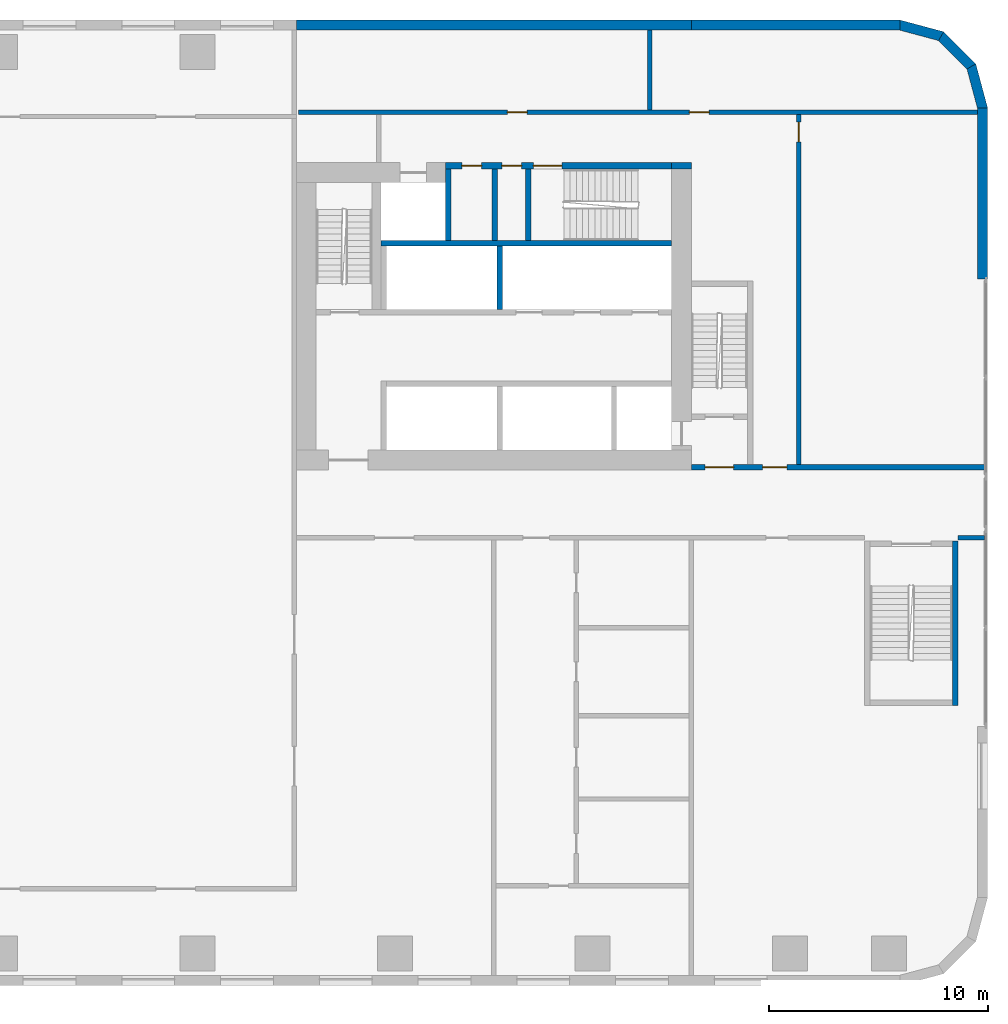
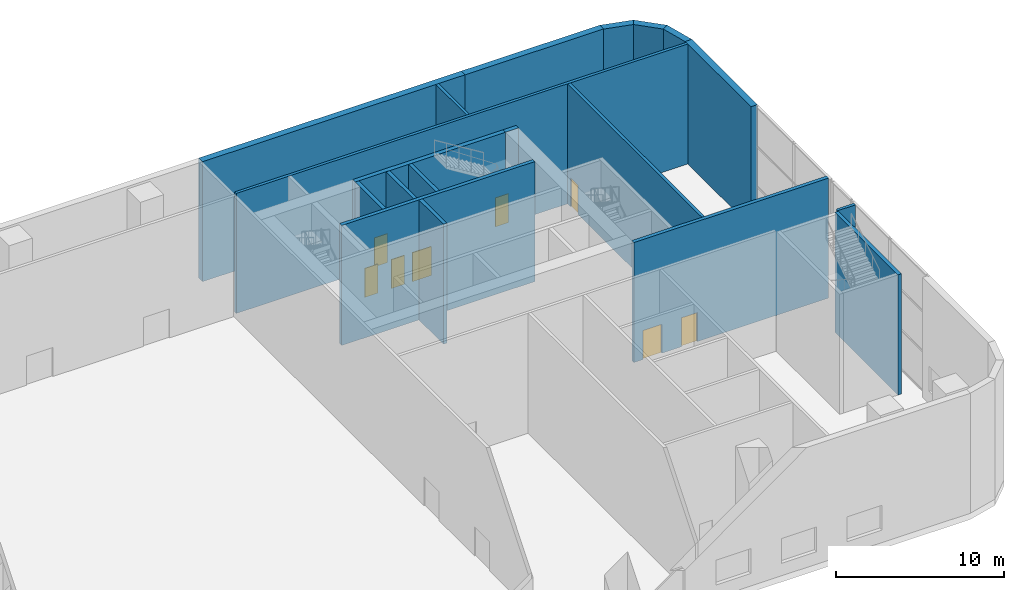
# One storey, part 11 of 24: 19 walls, 8 doors, 8 openings.
"""IFC4 building model written with IfcOpenShell, lengths in metres."""

from ifc_helpers import new_model, si_unit, direction, frame, frame_2d, origin, place, context, subcontext, project, spatial, polyline, rectangle, outline, extrude, material, layer, layer_set, type_object, element, fill, save


model = new_model("IFC4")

# Units and contexts
model_context = context("Model", 3, precision=1e-05, world=origin(), true_north=direction((0.0, 1.0)))
body_context = subcontext(model_context, "Body", "Model", "MODEL_VIEW")
ifc_project = project(units=[si_unit("LENGTHUNIT", "METRE"), si_unit("AREAUNIT", "SQUARE_METRE"), si_unit("VOLUMEUNIT", "CUBIC_METRE"), si_unit("PLANEANGLEUNIT", "RADIAN"), si_unit("MASSUNIT", "GRAM", prefix="KILO")], contexts=[model_context])

# Site, building, storey
site_placement = place(None, origin())
site = spatial("IfcSite", under=ifc_project, at=site_placement, CompositionType="ELEMENT")
building_placement = place(site_placement, origin())
building = spatial("IfcBuilding", under=site, at=building_placement, Name="Kajstack Hotel Tower", CompositionType="ELEMENT")
storey_placement = place(building_placement, frame((0.0, 0.0, 38.0)))
storey = spatial("IfcBuildingStorey", under=building, at=storey_placement, Name="L06", CompositionType="ELEMENT", Elevation=38.0)

# Walls
ifc_material_1 = material(Name="Concrete C60/75", Category="concrete")
ifc_layer_1 = layer(ifc_material_1, 0.89990234375)
ifc_layer_set_1 = layer_set([ifc_layer_1], Name="Core wall 900")
wall_type_1 = type_object("IfcWallType", Name="Core wall 900", PredefinedType="SHEAR", material=ifc_layer_set_1)
wall_1_placement = place(storey_placement, frame((30.60009765625, 15.35009765625, 0.0), z_axis=(0.0, 0.0, 1.0), x_axis=(1.0, 0.0, 0.0)))
element("IfcWall", 1, at=wall_1_placement, inside=storey, type_object=wall_type_1, Name="Core wall E RSW", PredefinedType="SHEAR", context=body_context, shape_type="SweptSolid", body=[
    extrude(rectangle(XDim=0.89990234375, YDim=0.300048828125, at=frame_2d((0.449951171875, 0.0))), origin(), (0.0, 0.0, 1.0), 8.699951171875),
])
ifc_material_2 = material(Name="Concrete C40/50", Category="concrete")
ifc_layer_2 = layer(ifc_material_2, 0.449951171875)
ifc_layer_set_2 = layer_set([ifc_layer_2], Name="EW-CORE")
wall_type_2 = type_object("IfcWallType", Name="EW-CORE", PredefinedType="SOLIDWALL", material=ifc_layer_set_2)
wall_2_placement = place(storey_placement, frame((31.5, 21.77490234375, 0.0), z_axis=(0.0, 0.0, 1.0), x_axis=(-1.0, 0.0, 0.0)))
element("IfcWall", 2, at=wall_2_placement, inside=storey, type_object=wall_type_2, Name="E-wall-L06-11-01", PredefinedType="SOLIDWALL", context=body_context, shape_type="SweptSolid", body=[
    extrude(rectangle(XDim=18.0, YDim=0.449951171875, at=frame_2d((9.0, 0.0))), origin(), (0.0, 0.0, 1.0), 8.699951171875),
])
ifc_material_3 = material(Name="Terracotta-faced brick masonry", Category="masonry")
ifc_layer_3 = layer(ifc_material_3, 0.449951171875)
ifc_layer_set_3 = layer_set([ifc_layer_3], Name="EW-TERRA")
wall_type_3 = type_object("IfcWallType", Name="EW-TERRA", PredefinedType="SOLIDWALL", material=ifc_layer_set_3)
wall_3_placement = place(storey_placement, frame((44.77490234375, 10.199951171875, 0.0), z_axis=(0.0, 0.0, 1.0), x_axis=(0.0, 1.0, 0.0)))
element("IfcWall", 3, at=wall_3_placement, inside=storey, type_object=wall_type_3, Name="E-wall-L06-07-02", PredefinedType="SOLIDWALL", context=body_context, shape_type="SweptSolid", body=[
    extrude(rectangle(XDim=7.800048828125, YDim=0.449951171875, at=frame_2d((3.89990234375, 0.0))), origin(), (0.0, 0.0, 1.0), 8.699951171875),
])
wall_4_placement = place(storey_placement, frame((44.78271484375, 17.941650390625, 0.0), z_axis=(0.0, 0.0, 1.0), x_axis=(-0.25881466832, 0.965926999034, 0.0)))
element("IfcWall", 4, at=wall_4_placement, inside=storey, type_object=wall_type_3, Name="E-wall-L06-08-00", PredefinedType="SOLIDWALL", context=body_context, shape_type="SweptSolid", body=[
    extrude(outline(polyline([(0.000244140625, -0.22509765625), (2.070556640625, -0.224853515625), (1.9501953125, 0.22509765625), (0.12060546875, 0.22509765625), (0.000244140625, -0.22509765625)])), origin(), (0.0, 0.0, 1.0), 8.699951171875),
])
wall_5_placement = place(storey_placement, frame((44.304931640625, 19.8408203125, 0.0), z_axis=(0.0, 0.0, 1.0), x_axis=(-0.707106781187, 0.707106781187, 0.0)))
element("IfcWall", 5, at=wall_5_placement, inside=storey, type_object=wall_type_3, Name="E-wall-L06-09-00", PredefinedType="SOLIDWALL", context=body_context, shape_type="SweptSolid", body=[
    extrude(outline(polyline([(0.0, -0.22509765625), (2.070556640625, -0.22509765625), (1.949951171875, 0.224853515625), (0.12060546875, 0.224853515625), (0.0, -0.22509765625)])), origin(), (0.0, 0.0, 1.0), 8.699951171875),
])
wall_6_placement = place(storey_placement, frame((42.941650390625, 21.246826171875, 0.0), z_axis=(0.0, 0.0, 1.0), x_axis=(-0.965926999034, 0.25881466832, 0.0)))
element("IfcWall", 6, at=wall_6_placement, inside=storey, type_object=wall_type_3, Name="E-wall-L06-10-00", PredefinedType="SOLIDWALL", context=body_context, shape_type="SweptSolid", body=[
    extrude(outline(polyline([(-0.000244140625, -0.224853515625), (2.0703125, -0.22509765625), (1.949951171875, 0.22509765625), (0.120361328125, 0.22509765625), (-0.000244140625, -0.224853515625)])), origin(), (0.0, 0.0, 1.0), 8.699951171875),
])
wall_7_placement = place(storey_placement, frame((41.0, 21.77490234375, 0.0), z_axis=(0.0, 0.0, 1.0), x_axis=(-1.0, 0.0, 0.0)))
element("IfcWall", 7, at=wall_7_placement, inside=storey, type_object=wall_type_3, Name="E-wall-L06-11-00", PredefinedType="SOLIDWALL", context=body_context, shape_type="SweptSolid", body=[
    extrude(rectangle(XDim=9.5, YDim=0.449951171875, at=frame_2d((4.75, 0.0))), origin(), (0.0, 0.0, 1.0), 8.699951171875),
])
ifc_material_4 = material(Name="Concrete C50/60", Category="concrete")
ifc_layer_4 = layer(ifc_material_4, 0.300048828125)
ifc_layer_set_4 = layer_set([ifc_layer_4], Name="Hoistway divider wall 300")
wall_type_4 = type_object("IfcWallType", Name="Hoistway divider wall 300", PredefinedType="SHEAR", material=ifc_layer_set_4)
wall_8_placement = place(storey_placement, frame((22.77490234375, 8.800048828125, 0.0), z_axis=(0.0, 0.0, 1.0), x_axis=(0.0, 1.0, 0.0)))
element("IfcWall", 8, at=wall_8_placement, inside=storey, type_object=wall_type_4, Name="Core wall E BP2", PredefinedType="SHEAR", context=body_context, shape_type="SweptSolid", body=[
    extrude(rectangle(XDim=2.89990234375, YDim=0.25, at=frame_2d((1.449951171875, 0.0))), origin(), (0.0, 0.0, 1.0), 8.699951171875),
])
ifc_material_5 = material(Name="Gypsum board on steel studs, mineral wool", Category="steel")
ifc_layer_5 = layer(ifc_material_5, 0.199951171875)
ifc_layer_set_5 = layer_set([ifc_layer_5], Name="Public partition 200")
wall_type_5 = type_object("IfcWallType", Name="Public partition 200", PredefinedType="PARTITIONING", material=ifc_layer_set_5)
wall_9_placement = place(storey_placement, frame((43.64990234375, -1.60009765625, 0.0), z_axis=(0.0, 0.0, 1.0), x_axis=(1.0, 0.0, 0.0)))
element("IfcWall", 9, at=wall_9_placement, inside=storey, type_object=wall_type_5, Name="Partition SFWW", PredefinedType="PARTITIONING", context=body_context, shape_type="SweptSolid", body=[
    extrude(rectangle(XDim=1.2001953125, YDim=0.199951171875, at=frame_2d((0.60009765625, 0.0))), origin(), (0.0, 0.0, 1.0), 8.699951171875),
])
ifc_material_6 = material(Name="Concrete block masonry", Category="masonry")
ifc_layer_6 = layer(ifc_material_6, 0.25)
ifc_layer_set_6 = layer_set([ifc_layer_6], Name="Riser partition 250")
wall_type_6 = type_object("IfcWallType", Name="Riser partition 250", PredefinedType="PARTITIONING", material=ifc_layer_set_6)
wall_10_placement = place(storey_placement, frame((22.550048828125, 11.949951171875, 0.0), z_axis=(0.0, 0.0, 1.0), x_axis=(0.0, 1.0, 0.0)))
element("IfcWall", 10, at=wall_10_placement, inside=storey, type_object=wall_type_6, Name="Partition E SZ0", PredefinedType="PARTITIONING", context=body_context, shape_type="SweptSolid", body=[
    extrude(rectangle(XDim=3.25, YDim=0.25, at=frame_2d((1.625, 0.0))), origin(), (0.0, 0.0, 1.0), 8.699951171875),
])

# Wall, openings, doors
ifc_layer_7 = layer(ifc_material_5, 0.199951171875)
ifc_layer_set_7 = layer_set([ifc_layer_7], Name="Service partition 200")
wall_type_7 = type_object("IfcWallType", Name="Service partition 200", PredefinedType="PARTITIONING", material=ifc_layer_set_7)
wall_11_placement = place(storey_placement, frame((31.5, 1.625, 0.0), z_axis=(0.0, 0.0, 1.0), x_axis=(1.0, 0.0, 0.0)))
wall_11 = element("IfcWall", 11, at=wall_11_placement, inside=storey, type_object=wall_type_7, Name="Partition E SN", PredefinedType="PARTITIONING", context=body_context, shape_type="SweptSolid", body=[
    extrude(rectangle(XDim=13.35009765625, YDim=0.25, at=frame_2d((6.675048828125, 0.0))), origin(), (0.0, 0.0, 1.0), 8.699951171875),
])
opening_1_placement = place(wall_11_placement, frame((0.625, 0.0, 0.0)))
opening_1 = element("IfcOpeningElement", 12, at=opening_1_placement, cuts=wall_11, Name="Opening 06E07", PredefinedType="OPENING", context=body_context, shape_type="SweptSolid", body=[
    extrude(rectangle(XDim=1.300048828125, YDim=2.10009765625, at=frame_2d((0.64990234375, 1.050048828125))), frame((0.0, 0.135009765625, 0.0), z_axis=(0.0, -1.0, 0.0), x_axis=(1.0, 0.0, 0.0)), (0.0, 0.0, 1.0), 0.27001953125),
])
opening_2_placement = place(wall_11_placement, frame((3.25, 0.0, 0.0)))
opening_2 = element("IfcOpeningElement", 13, at=opening_2_placement, cuts=wall_11, Name="Opening 06E09", PredefinedType="OPENING", context=body_context, shape_type="SweptSolid", body=[
    extrude(rectangle(XDim=1.10009765625, YDim=2.10009765625, at=frame_2d((0.550048828125, 1.050048828125))), frame((0.0, 0.135009765625, 0.0), z_axis=(0.0, -1.0, 0.0), x_axis=(1.0, 0.0, 0.0)), (0.0, 0.0, 1.0), 0.27001953125),
])
ifc_material_7 = material(Name="Steel leaf, fire-rated", Category="steel")
door_type_1 = type_object("IfcDoorType", Name="Fire lobby door 1300", OperationType="SINGLE_SWING_LEFT", PredefinedType="DOOR", material=ifc_material_7)
door_1_placement = place(opening_1_placement, origin())
door_1 = element("IfcDoor", 14, at=door_1_placement, inside=storey, type_object=door_type_1, Name="Door 06E07", OperationType="SINGLE_SWING_LEFT", OverallHeight=2.10009765625, OverallWidth=1.300048828125, PredefinedType="DOOR", context=body_context, shape_type="SweptSolid", body=[
    extrude(rectangle(XDim=1.300048828125, YDim=2.10009765625, at=frame_2d((0.64990234375, 1.050048828125))), frame((0.0, 0.02490234375, 0.0), z_axis=(0.0, -1.0, 0.0), x_axis=(1.0, 0.0, 0.0)), (0.0, 0.0, 1.0), 0.050048828125),
])
fill(opening_1, door_1)
ifc_material_8 = material(Name="Timber leaf, fire-rated", Category="wood")
door_type_2 = type_object("IfcDoorType", Name="Service corridor door 1100", OperationType="SINGLE_SWING_LEFT", PredefinedType="DOOR", material=ifc_material_8)
door_2_placement = place(opening_2_placement, origin())
door_2 = element("IfcDoor", 15, at=door_2_placement, inside=storey, type_object=door_type_2, Name="Door 06E09", OperationType="SINGLE_SWING_LEFT", OverallHeight=2.10009765625, OverallWidth=1.10009765625, PredefinedType="DOOR", context=body_context, shape_type="SweptSolid", body=[
    extrude(rectangle(XDim=1.10009765625, YDim=2.10009765625, at=frame_2d((0.550048828125, 1.050048828125))), frame((0.0, 0.02490234375, 0.0), z_axis=(0.0, -1.0, 0.0), x_axis=(1.0, 0.0, 0.0)), (0.0, 0.0, 1.0), 0.050048828125),
])
fill(opening_2, door_2)

# Wall, opening, door
wall_12_placement = place(storey_placement, frame((36.39990234375, 1.75, 0.0), z_axis=(0.0, 0.0, 1.0), x_axis=(0.0, 1.0, 0.0)))
wall_12 = element("IfcWall", 16, at=wall_12_placement, inside=storey, type_object=wall_type_7, Name="Partition E WRE", PredefinedType="PARTITIONING", context=body_context, shape_type="SweptSolid", body=[
    extrude(rectangle(XDim=15.949951171875, YDim=0.199951171875, at=frame_2d((7.97509765625, 0.0))), origin(), (0.0, 0.0, 1.0), 8.699951171875),
])
opening_3_placement = place(wall_12_placement, frame((14.699951171875, 0.0, 0.0)))
opening_3 = element("IfcOpeningElement", 17, at=opening_3_placement, cuts=wall_12, Name="Opening 06E16", PredefinedType="OPENING", context=body_context, shape_type="SweptSolid", body=[
    extrude(rectangle(XDim=0.89990234375, YDim=2.10009765625, at=frame_2d((0.449951171875, 1.050048828125))), frame((0.0, 0.10986328125, 0.0), z_axis=(0.0, -1.0, 0.0), x_axis=(1.0, 0.0, 0.0)), (0.0, 0.0, 1.0), 0.219970703125),
])
door_type_3 = type_object("IfcDoorType", Name="Service door 900", OperationType="SINGLE_SWING_LEFT", PredefinedType="DOOR", material=ifc_material_8)
door_3_placement = place(opening_3_placement, origin())
door_3 = element("IfcDoor", 18, at=door_3_placement, inside=storey, type_object=door_type_3, Name="Door 06E16", OperationType="SINGLE_SWING_RIGHT", OverallHeight=2.10009765625, OverallWidth=0.89990234375, PredefinedType="DOOR", context=body_context, shape_type="SweptSolid", body=[
    extrude(rectangle(XDim=0.89990234375, YDim=2.10009765625, at=frame_2d((0.449951171875, 1.050048828125))), frame((0.0, 0.02490234375, 0.0), z_axis=(0.0, -1.0, 0.0), x_axis=(1.0, 0.0, 0.0)), (0.0, 0.0, 1.0), 0.050048828125),
])
fill(opening_3, door_3)

# Wall, openings, doors
wall_13_placement = place(storey_placement, frame((13.60009765625, 17.800048828125, 0.0), z_axis=(0.0, 0.0, 1.0), x_axis=(1.0, 0.0, 0.0)))
wall_13 = element("IfcWall", 19, at=wall_13_placement, inside=storey, type_object=wall_type_7, Name="Partition E SLN", PredefinedType="PARTITIONING", context=body_context, shape_type="SweptSolid", body=[
    extrude(rectangle(XDim=30.949951171875, YDim=0.199951171875, at=frame_2d((15.47509765625, 0.0))), origin(), (0.0, 0.0, 1.0), 8.699951171875),
])
opening_4_placement = place(wall_13_placement, frame((17.8125, 0.0, 0.0)))
opening_4 = element("IfcOpeningElement", 20, at=opening_4_placement, cuts=wall_13, Name="Opening 06E14", PredefinedType="OPENING", context=body_context, shape_type="SweptSolid", body=[
    extrude(rectangle(XDim=0.89990234375, YDim=2.10009765625, at=frame_2d((0.449951171875, 1.050048828125))), frame((0.0, 0.10986328125, 0.0), z_axis=(0.0, -1.0, 0.0), x_axis=(1.0, 0.0, 0.0)), (0.0, 0.0, 1.0), 0.219970703125),
])
opening_5_placement = place(wall_13_placement, frame((9.512451171875, 0.0, 0.0)))
opening_5 = element("IfcOpeningElement", 21, at=opening_5_placement, cuts=wall_13, Name="Opening 06E15", PredefinedType="OPENING", context=body_context, shape_type="SweptSolid", body=[
    extrude(rectangle(XDim=0.89990234375, YDim=2.10009765625, at=frame_2d((0.449951171875, 1.050048828125))), frame((0.0, 0.10986328125, 0.0), z_axis=(0.0, -1.0, 0.0), x_axis=(1.0, 0.0, 0.0)), (0.0, 0.0, 1.0), 0.219970703125),
])
door_4_placement = place(opening_4_placement, origin())
door_4 = element("IfcDoor", 22, at=door_4_placement, inside=storey, type_object=door_type_3, Name="Door 06E14", OperationType="SINGLE_SWING_LEFT", OverallHeight=2.10009765625, OverallWidth=0.89990234375, PredefinedType="DOOR", context=body_context, shape_type="SweptSolid", body=[
    extrude(rectangle(XDim=0.89990234375, YDim=2.10009765625, at=frame_2d((0.449951171875, 1.050048828125))), frame((0.0, 0.02490234375, 0.0), z_axis=(0.0, -1.0, 0.0), x_axis=(1.0, 0.0, 0.0)), (0.0, 0.0, 1.0), 0.050048828125),
])
fill(opening_4, door_4)
door_5_placement = place(opening_5_placement, origin())
door_5 = element("IfcDoor", 23, at=door_5_placement, inside=storey, type_object=door_type_3, Name="Door 06E15", OperationType="SINGLE_SWING_LEFT", OverallHeight=2.10009765625, OverallWidth=0.89990234375, PredefinedType="DOOR", context=body_context, shape_type="SweptSolid", body=[
    extrude(rectangle(XDim=0.89990234375, YDim=2.10009765625, at=frame_2d((0.449951171875, 1.050048828125))), frame((0.0, 0.02490234375, 0.0), z_axis=(0.0, -1.0, 0.0), x_axis=(1.0, 0.0, 0.0)), (0.0, 0.0, 1.0), 0.050048828125),
])
fill(opening_5, door_5)

# Wall
wall_14_placement = place(storey_placement, frame((29.60009765625, 17.89990234375, 0.0), z_axis=(0.0, 0.0, 1.0), x_axis=(0.0, 1.0, 0.0)))
element("IfcWall", 24, at=wall_14_placement, inside=storey, type_object=wall_type_7, Name="Partition E SLP0", PredefinedType="PARTITIONING", context=body_context, shape_type="SweptSolid", body=[
    extrude(rectangle(XDim=3.650146484375, YDim=0.199951171875, at=frame_2d((1.8251953125, 0.0))), origin(), (0.0, 0.0, 1.0), 8.699951171875),
])

# Wall, openings, doors
ifc_layer_8 = layer(ifc_material_4, 0.25)
ifc_layer_set_8 = layer_set([ifc_layer_8], Name="Shaft wall 250")
wall_type_8 = type_object("IfcWallType", Name="Shaft wall 250", PredefinedType="SHEAR", material=ifc_layer_set_8)
wall_15_placement = place(storey_placement, frame((20.300048828125, 15.35009765625, 0.0), z_axis=(0.0, 0.0, 1.0), x_axis=(1.0, 0.0, 0.0)))
wall_15 = element("IfcWall", 25, at=wall_15_placement, inside=storey, type_object=wall_type_8, Name="Core wall E RSS", PredefinedType="SHEAR", context=body_context, shape_type="SweptSolid", body=[
    extrude(rectangle(XDim=10.300048828125, YDim=0.300048828125, at=frame_2d((5.14990234375, 0.0))), origin(), (0.0, 0.0, 1.0), 8.699951171875),
])
opening_6_placement = place(wall_15_placement, frame((4.0, 0.0, 0.0)))
opening_6 = element("IfcOpeningElement", 26, at=opening_6_placement, cuts=wall_15, Name="Opening 06E11", PredefinedType="OPENING", context=body_context, shape_type="SweptSolid", body=[
    extrude(rectangle(XDim=1.300048828125, YDim=2.10009765625, at=frame_2d((0.64990234375, 1.050048828125))), frame((0.0, 0.159912109375, 0.0), z_axis=(0.0, -1.0, 0.0), x_axis=(1.0, 0.0, 0.0)), (0.0, 0.0, 1.0), 0.320068359375),
])
opening_7_placement = place(wall_15_placement, frame((2.5625, 0.0, 0.0)))
opening_7 = element("IfcOpeningElement", 27, at=opening_7_placement, cuts=wall_15, Name="Opening 06E12", PredefinedType="OPENING", context=body_context, shape_type="SweptSolid", body=[
    extrude(rectangle(XDim=0.89990234375, YDim=2.10009765625, at=frame_2d((0.449951171875, 1.050048828125))), frame((0.0, 0.159912109375, 0.0), z_axis=(0.0, -1.0, 0.0), x_axis=(1.0, 0.0, 0.0)), (0.0, 0.0, 1.0), 0.320068359375),
])
opening_8_placement = place(wall_15_placement, frame((0.737548828125, 0.0, 0.0)))
opening_8 = element("IfcOpeningElement", 28, at=opening_8_placement, cuts=wall_15, Name="Opening 06E13", PredefinedType="OPENING", context=body_context, shape_type="SweptSolid", body=[
    extrude(rectangle(XDim=0.89990234375, YDim=2.10009765625, at=frame_2d((0.449951171875, 1.050048828125))), frame((0.0, 0.159912109375, 0.0), z_axis=(0.0, -1.0, 0.0), x_axis=(1.0, 0.0, 0.0)), (0.0, 0.0, 1.0), 0.320068359375),
])
door_type_4 = type_object("IfcDoorType", Name="Riser door 900", OperationType="SINGLE_SWING_LEFT", PredefinedType="DOOR", material=ifc_material_7)
door_6_placement = place(opening_8_placement, origin())
door_6 = element("IfcDoor", 29, at=door_6_placement, inside=storey, type_object=door_type_4, Name="Door 06E13", OperationType="SINGLE_SWING_RIGHT", OverallHeight=2.10009765625, OverallWidth=0.89990234375, PredefinedType="DOOR", context=body_context, shape_type="SweptSolid", body=[
    extrude(rectangle(XDim=0.89990234375, YDim=2.10009765625, at=frame_2d((0.449951171875, 1.050048828125))), frame((0.0, 0.02490234375, 0.0), z_axis=(0.0, -1.0, 0.0), x_axis=(1.0, 0.0, 0.0)), (0.0, 0.0, 1.0), 0.050048828125),
])
fill(opening_8, door_6)
door_7_placement = place(opening_7_placement, origin())
door_7 = element("IfcDoor", 30, at=door_7_placement, inside=storey, type_object=door_type_3, Name="Door 06E12", OperationType="SINGLE_SWING_RIGHT", OverallHeight=2.10009765625, OverallWidth=0.89990234375, PredefinedType="DOOR", context=body_context, shape_type="SweptSolid", body=[
    extrude(rectangle(XDim=0.89990234375, YDim=2.10009765625, at=frame_2d((0.449951171875, 1.050048828125))), frame((0.0, 0.02490234375, 0.0), z_axis=(0.0, -1.0, 0.0), x_axis=(1.0, 0.0, 0.0)), (0.0, 0.0, 1.0), 0.050048828125),
])
fill(opening_7, door_7)
door_type_5 = type_object("IfcDoorType", Name="Stair door 1300", OperationType="SINGLE_SWING_LEFT", PredefinedType="DOOR", material=ifc_material_7)
door_8_placement = place(opening_6_placement, origin())
door_8 = element("IfcDoor", 31, at=door_8_placement, inside=storey, type_object=door_type_5, Name="Door 06E11", OperationType="SINGLE_SWING_LEFT", OverallHeight=2.10009765625, OverallWidth=1.300048828125, PredefinedType="DOOR", context=body_context, shape_type="SweptSolid", body=[
    extrude(rectangle(XDim=1.300048828125, YDim=2.10009765625, at=frame_2d((0.64990234375, 1.050048828125))), frame((0.0, 0.02490234375, 0.0), z_axis=(0.0, -1.0, 0.0), x_axis=(1.0, 0.0, 0.0)), (0.0, 0.0, 1.0), 0.050048828125),
])
fill(opening_6, door_8)

# Walls
wall_16_placement = place(storey_placement, frame((17.35009765625, 11.824951171875, 0.0), z_axis=(0.0, 0.0, 1.0), x_axis=(1.0, 0.0, 0.0)))
element("IfcWall", 32, at=wall_16_placement, inside=storey, type_object=wall_type_8, Name="Core wall E RB", PredefinedType="SHEAR", context=body_context, shape_type="SweptSolid", body=[
    extrude(rectangle(XDim=13.25, YDim=0.25, at=frame_2d((6.625, 0.0))), origin(), (0.0, 0.0, 1.0), 8.699951171875),
])
wall_17_placement = place(storey_placement, frame((20.425048828125, 11.949951171875, 0.0), z_axis=(0.0, 0.0, 1.0), x_axis=(0.0, 1.0, 0.0)))
element("IfcWall", 33, at=wall_17_placement, inside=storey, type_object=wall_type_8, Name="Core wall E SVW", PredefinedType="SHEAR", context=body_context, shape_type="SweptSolid", body=[
    extrude(rectangle(XDim=3.25, YDim=0.25, at=frame_2d((1.625, 0.0))), origin(), (0.0, 0.0, 1.0), 8.699951171875),
])
ifc_layer_9 = layer(ifc_material_2, 0.25)
ifc_layer_set_9 = layer_set([ifc_layer_9], Name="Stair enclosure wall 250")
wall_type_9 = type_object("IfcWallType", Name="Stair enclosure wall 250", PredefinedType="SHEAR", material=ifc_layer_set_9)
wall_18_placement = place(storey_placement, frame((43.52490234375, -9.25, 0.0), z_axis=(0.0, 0.0, 1.0), x_axis=(0.0, 1.0, 0.0)))
element("IfcWall", 34, at=wall_18_placement, inside=storey, type_object=wall_type_9, Name="Stair wall P2 E", PredefinedType="SHEAR", context=body_context, shape_type="SweptSolid", body=[
    extrude(rectangle(XDim=7.5, YDim=0.25, at=frame_2d((3.75, 0.0))), origin(), (0.0, 0.0, 1.0), 8.699951171875),
])
ifc_layer_10 = layer(ifc_material_4, 0.35009765625)
ifc_layer_set_10 = layer_set([ifc_layer_10], Name="Stair enclosure wall 350")
wall_type_10 = type_object("IfcWallType", Name="Stair enclosure wall 350", PredefinedType="SHEAR", material=ifc_layer_set_10)
wall_19_placement = place(storey_placement, frame((24.074951171875, 11.949951171875, 0.0), z_axis=(0.0, 0.0, 1.0), x_axis=(0.0, 1.0, 0.0)))
element("IfcWall", 35, at=wall_19_placement, inside=storey, type_object=wall_type_10, Name="Core wall E W3E", PredefinedType="SHEAR", context=body_context, shape_type="SweptSolid", body=[
    extrude(rectangle(XDim=3.25, YDim=0.25, at=frame_2d((1.625, 0.0))), origin(), (0.0, 0.0, 1.0), 8.699951171875),
])

save(model, "model.ifc")
